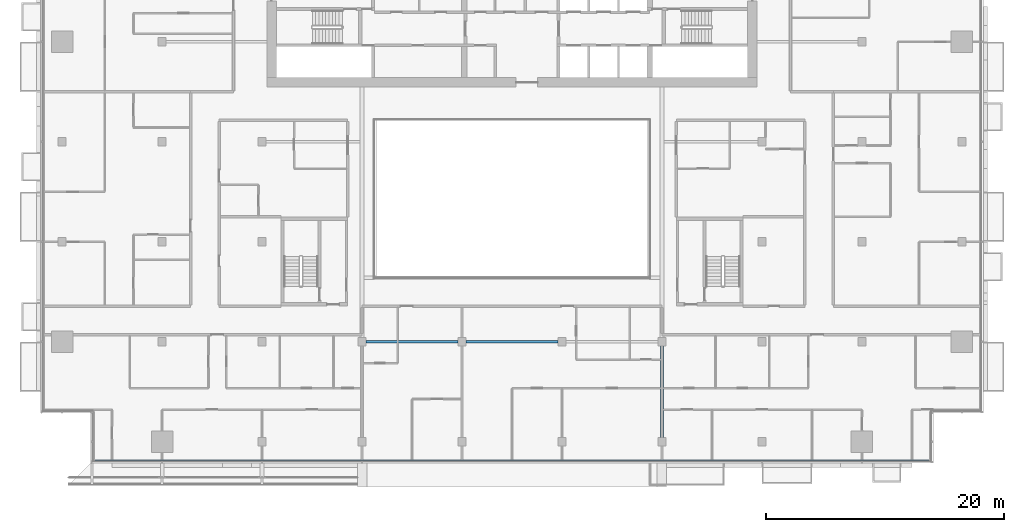
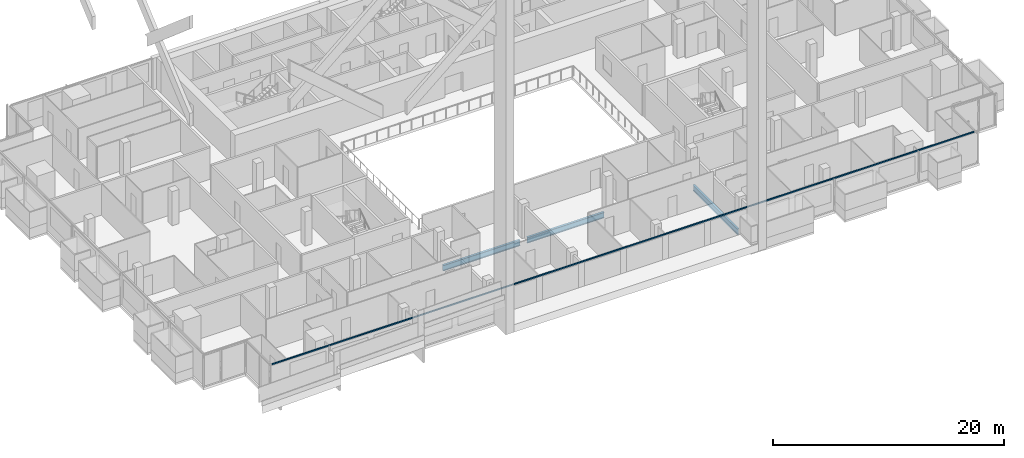
# One storey, part 5 of 31: 3 beams, 1 member, 1 element without a shape of its own.
"""IFC4 building model written with IfcOpenShell, lengths in metres."""

from ifc_helpers import new_model, si_unit, direction, frame, origin, origin_2d, place, context, subcontext, project, spatial, rectangle, i_section, extrude, material, material_profile, profile_set, type_object, element, aggregate, save


model = new_model("IFC4")

# Units and contexts
model_context = context("Model", 3, precision=1e-05, world=origin(), true_north=direction((0.0, 1.0)))
body_context = subcontext(model_context, "Body", "Model", "MODEL_VIEW")
ifc_project = project(units=[si_unit("LENGTHUNIT", "METRE"), si_unit("AREAUNIT", "SQUARE_METRE"), si_unit("VOLUMEUNIT", "CUBIC_METRE"), si_unit("PLANEANGLEUNIT", "RADIAN"), si_unit("MASSUNIT", "GRAM", prefix="KILO")], contexts=[model_context])

# Site, building, storey
site_placement = place(None, origin())
site = spatial("IfcSite", under=ifc_project, at=site_placement, CompositionType="ELEMENT")
building_placement = place(site_placement, origin())
building = spatial("IfcBuilding", under=site, at=building_placement, Name="Saffron Gate Tower", CompositionType="ELEMENT")
storey_placement = place(building_placement, frame((0.0, 0.0, 147.449951171875)))
storey = spatial("IfcBuildingStorey", under=building, at=storey_placement, Name="L35", CompositionType="ELEMENT", Elevation=147.449951171875)

# Beams
ifc_material_1 = material(Name="Structural steel S355", Category="steel")
ifc_material_profile_1 = material_profile(ifc_material_1, i_section(OverallWidth=0.219970703125, OverallDepth=0.60009765625, WebThickness=0.011962890625, FlangeThickness=0.01904296875, FilletRadius=0.02392578125, at=origin_2d()))
ifc_profile_set_1 = profile_set([ifc_material_profile_1], Name="Structural steel S355")
beam_type = type_object("IfcBeamType", Name="B15 IPE 600", PredefinedType="BEAM", material=ifc_profile_set_1)
beam_placement = place(storey_placement, frame((100.199951171875, 32.14990234375, -0.579833984375), z_axis=(0.0, 1.0, 0.0), x_axis=(-1.0, 0.0, 0.0)))
element("IfcBeam", 1, at=beam_placement, inside=storey, type_object=beam_type, Name="B15 FLOOR GIRDER", PredefinedType="BEAM", context=body_context, shape_type="SweptSolid", body=[
    extrude(i_section(OverallWidth=0.219970703125, OverallDepth=0.60009765625, WebThickness=0.011962890625, FlangeThickness=0.01904296875, FilletRadius=0.02392578125, at=origin_2d()), origin(), (0.0, 0.0, 1.0), 7.7001953125),
])
for number, where, z_axis, x_axis, name in (
    (2, (75.35009765625, 40.199951171875, -0.579833984375), (1.0, 0.0, 0.0), (0.0, 1.0, 0.0), "B15 FLOOR GIRDER"),
    (3, (83.75, 40.199951171875, -0.579833984375), (1.0, 0.0, 0.0), (0.0, 1.0, 0.0), "B15 FLOOR GIRDER"),
):
    element("IfcBeam", number, at=place(storey_placement, frame(where, z_axis=z_axis, x_axis=x_axis)), inside=storey, type_object=beam_type, Name=name, PredefinedType="BEAM", context=body_context, shape_type="SweptSolid", body=[
        extrude(i_section(OverallWidth=0.219970703125, OverallDepth=0.60009765625, WebThickness=0.011962890625, FlangeThickness=0.01904296875, FilletRadius=0.02392578125, at=origin_2d()), origin(), (0.0, 0.0, 1.0), 7.699951171875),
    ])

# Curtain wall, member
ifc_material_2 = material(Name="Aluminium, bronze anodised", Category="aluminium")
curtain_wall_type = type_object("IfcCurtainWallType", Name="CWS1 curtain wall front facade", PredefinedType="NOTDEFINED", material=ifc_material_2)
curtain_wall_placement = place(storey_placement, origin())
curtain_wall = element("IfcCurtainWall", 4, at=curtain_wall_placement, inside=storey, type_object=curtain_wall_type, Name="CWS1 run 1", PredefinedType="NOTDEFINED")
ifc_material_profile_2 = material_profile(ifc_material_2, rectangle(XDim=0.1201171875, YDim=0.1201171875, at=origin_2d()))
ifc_profile_set_2 = profile_set([ifc_material_profile_2], Name="Aluminium, bronze anodised")
member_type = type_object("IfcMemberType", Name="CWS1 head transom", PredefinedType="USERDEFINED", material=ifc_profile_set_2)
member_placement = place(storey_placement, frame((52.568115234375, 30.248046875, 3.260009765625), z_axis=(1.0, 0.0, 0.0), x_axis=(0.0, 1.0, 0.0)))
member = element("IfcMember", 5, at=member_placement, type_object=member_type, Name="CWS1 head transom", ObjectType="TRANSOM", PredefinedType="USERDEFINED", context=body_context, shape_type="SweptSolid", body=[
    extrude(rectangle(XDim=0.1201171875, YDim=0.1201171875, at=origin_2d()), origin(), (0.0, 0.0, 1.0), 70.06396484375),
])
aggregate(curtain_wall, [member])

save(model, "model.ifc")
